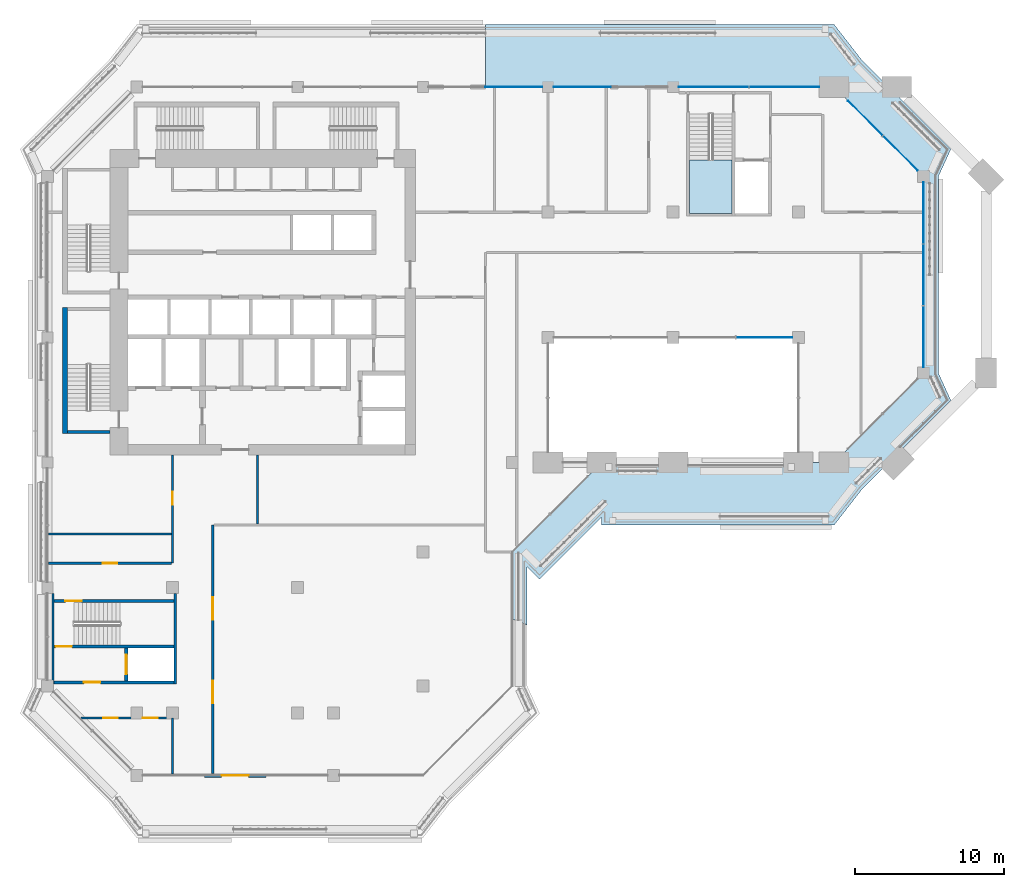
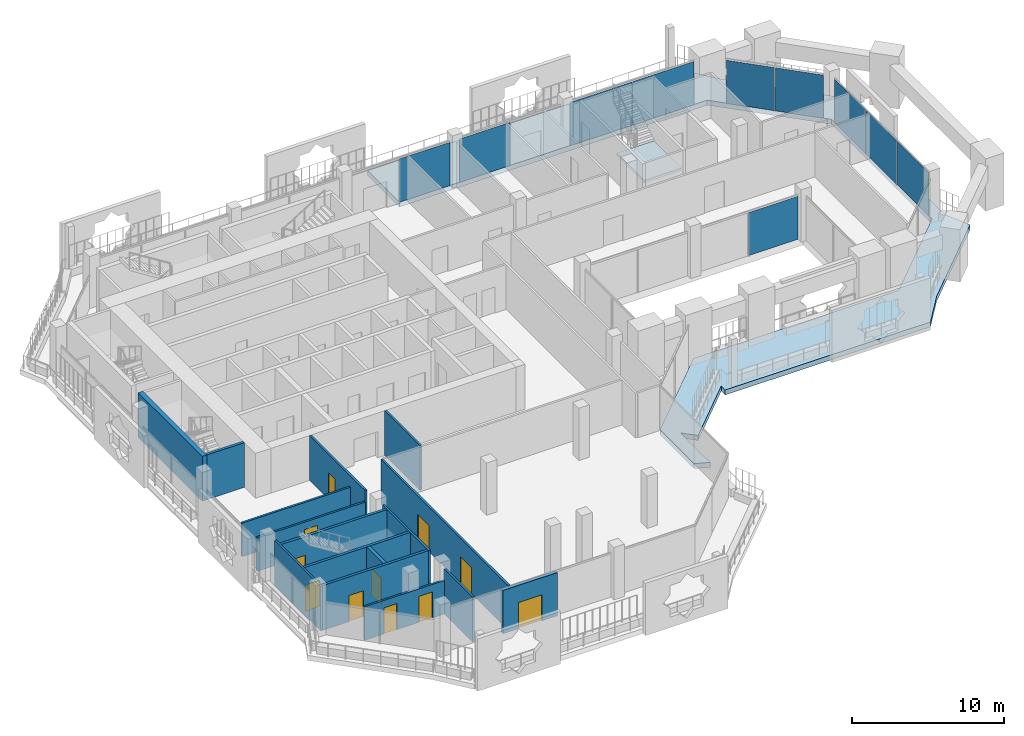
# One storey, part 10 of 23: 16 walls, 11 doors, 10 plates, 2 slabs, 11 openings, 5 elements without a shape of their own.
"""IFC4 building model written with IfcOpenShell, lengths in metres."""

from ifc_helpers import new_model, si_unit, direction, frame, frame_2d, origin, origin_2d, place, context, subcontext, project, spatial, polyline, rectangle, outline, extrude, material, layer, layer_set, type_object, element, fill, aggregate, save


model = new_model("IFC4")

# Units and contexts
model_context = context("Model", 3, precision=1e-05, world=origin(), true_north=direction((0.0, 1.0)))
body_context = subcontext(model_context, "Body", "Model", "MODEL_VIEW")
ifc_project = project(units=[si_unit("LENGTHUNIT", "METRE"), si_unit("AREAUNIT", "SQUARE_METRE"), si_unit("VOLUMEUNIT", "CUBIC_METRE"), si_unit("PLANEANGLEUNIT", "RADIAN"), si_unit("MASSUNIT", "GRAM", prefix="KILO")], contexts=[model_context])

# Site, building, storey
site_placement = place(None, origin())
site = spatial("IfcSite", under=ifc_project, at=site_placement, CompositionType="ELEMENT")
building_placement = place(site_placement, origin())
building = spatial("IfcBuilding", under=site, at=building_placement, Name="Kawkab Arch Medical Tower", CompositionType="ELEMENT")
storey_placement = place(building_placement, frame((0.0, 0.0, 281.800048828125)))
storey = spatial("IfcBuildingStorey", under=building, at=storey_placement, Name="L65", CompositionType="ELEMENT", Elevation=281.800048828125)

# Curtain wall, plates
ifc_material_1 = material(Name="Bronze anodised aluminium curtain wall frame", Category="aluminium")
ifc_layer_1 = layer(ifc_material_1, 0.159912109375)
ifc_layer_set_1 = layer_set([ifc_layer_1], Name="Bronze anodised aluminium curtain wall frame")
curtain_wall_type_1 = type_object("IfcCurtainWallType", Name="CW1 ward curtain wall", PredefinedType="NOTDEFINED", material=ifc_layer_set_1)
placement = place(storey_placement, origin())
curtain_wall_1 = element("IfcCurtainWall", 1, at=placement, inside=storey, type_object=curtain_wall_type_1, Name="CW1 Ward curtain wall R08", PredefinedType="NOTDEFINED")
ifc_material_2 = material(Name="Tinted insulating glass, bronze low-e coating", Category="glass")
ifc_layer_2 = layer(ifc_material_2, 0.031982421875)
ifc_layer_set_2 = layer_set([ifc_layer_2], Name="Tinted insulating glass, bronze low-e coating")
plate_type_1 = type_object("IfcPlateType", Name="CW1 glazing unit 32", PredefinedType="CURTAIN_PANEL", material=ifc_layer_set_2)
plate_1_placement = place(storey_placement, frame((58.800048828125, -16.748291015625, 0.0), z_axis=(0.0, 0.0, 1.0), x_axis=(0.0, 1.0, 0.0)))
plate_1 = element("IfcPlate", 2, at=plate_1_placement, type_object=plate_type_1, Name="CW1 glazing unit 1.1", PredefinedType="CURTAIN_PANEL", context=body_context, shape_type="SweptSolid", body=[
    extrude(rectangle(XDim=4.103271484375, YDim=0.031982421875, at=origin_2d()), origin(), (0.0, 0.0, 1.0), 3.47998046875),
])
plate_2_placement = place(storey_placement, frame((58.800048828125, -12.60009765625, 0.0), z_axis=(0.0, 0.0, 1.0), x_axis=(0.0, 1.0, 0.0)))
plate_2 = element("IfcPlate", 3, at=plate_2_placement, type_object=plate_type_1, Name="CW1 glazing unit 1.2", PredefinedType="CURTAIN_PANEL", context=body_context, shape_type="SweptSolid", body=[
    extrude(rectangle(XDim=4.0732421875, YDim=0.031982421875, at=origin_2d()), origin(), (0.0, 0.0, 1.0), 3.47998046875),
])
plate_3_placement = place(storey_placement, frame((58.800048828125, -8.45166015625, 0.0), z_axis=(0.0, 0.0, 1.0), x_axis=(0.0, 1.0, 0.0)))
plate_3 = element("IfcPlate", 4, at=plate_3_placement, type_object=plate_type_1, Name="CW1 glazing unit 1.3", PredefinedType="CURTAIN_PANEL", context=body_context, shape_type="SweptSolid", body=[
    extrude(rectangle(XDim=4.103271484375, YDim=0.031982421875, at=origin_2d()), origin(), (0.0, 0.0, 1.0), 3.47998046875),
])
aggregate(curtain_wall_1, [plate_1, plate_2, plate_3])

curtain_wall_2 = element("IfcCurtainWall", 5, at=placement, inside=storey, type_object=curtain_wall_type_1, Name="CW1 Ward curtain wall R10", PredefinedType="NOTDEFINED")
plate_4_placement = place(storey_placement, frame((49.458740234375, 0.0, 0.0), z_axis=(0.0, 0.0, 1.0), x_axis=(-1.0, 0.0, 0.0)))
plate_4 = element("IfcPlate", 6, at=plate_4_placement, type_object=plate_type_1, Name="CW1 glazing unit 1.1", PredefinedType="CURTAIN_PANEL", context=body_context, shape_type="SweptSolid", body=[
    extrude(rectangle(XDim=4.6826171875, YDim=0.031982421875, at=origin_2d()), origin(), (0.0, 0.0, 1.0), 3.47998046875),
])
plate_5_placement = place(storey_placement, frame((44.71630859375, 0.0, 0.0), z_axis=(0.0, 0.0, 1.0), x_axis=(-1.0, 0.0, 0.0)))
plate_5 = element("IfcPlate", 7, at=plate_5_placement, type_object=plate_type_1, Name="CW1 glazing unit 1.2", PredefinedType="CURTAIN_PANEL", context=body_context, shape_type="SweptSolid", body=[
    extrude(rectangle(XDim=4.6826171875, YDim=0.031982421875, at=origin_2d()), origin(), (0.0, 0.0, 1.0), 3.47998046875),
])
plate_6_placement = place(storey_placement, frame((35.887451171875, 0.0, 0.0), z_axis=(0.0, 0.0, 1.0), x_axis=(-1.0, 0.0, 0.0)))
plate_6 = element("IfcPlate", 8, at=plate_6_placement, type_object=plate_type_1, Name="CW1 glazing unit 2.2", PredefinedType="CURTAIN_PANEL", context=body_context, shape_type="SweptSolid", body=[
    extrude(rectangle(XDim=3.824951171875, YDim=0.031982421875, at=origin_2d()), origin(), (0.0, 0.0, 1.0), 3.47998046875),
])
plate_7_placement = place(storey_placement, frame((31.3125, 0.0, 0.0), z_axis=(0.0, 0.0, 1.0), x_axis=(-1.0, 0.0, 0.0)))
plate_7 = element("IfcPlate", 9, at=plate_7_placement, type_object=plate_type_1, Name="CW1 glazing unit 3.1", PredefinedType="CURTAIN_PANEL", context=body_context, shape_type="SweptSolid", body=[
    extrude(rectangle(XDim=3.824951171875, YDim=0.031982421875, at=origin_2d()), origin(), (0.0, 0.0, 1.0), 3.47998046875),
])
aggregate(curtain_wall_2, [plate_4, plate_5, plate_6, plate_7])

ifc_material_3 = material(Name="Bronze anodised aluminium curtain wall frame", Category="aluminium")
ifc_layer_3 = layer(ifc_material_3, 0.159912109375)
ifc_layer_set_3 = layer_set([ifc_layer_3], Name="Bronze anodised aluminium curtain wall frame")
curtain_wall_type_2 = type_object("IfcCurtainWallType", Name="CW2 chamfer curtain wall", PredefinedType="NOTDEFINED", material=ifc_layer_set_3)
curtain_wall_3 = element("IfcCurtainWall", 10, at=placement, inside=storey, type_object=curtain_wall_type_2, Name="CW2 Chamfer curtain wall R09", PredefinedType="NOTDEFINED")
ifc_material_4 = material(Name="Tinted insulating glass, bronze low-e coating", Category="glass")
ifc_layer_4 = layer(ifc_material_4, 0.031982421875)
ifc_layer_set_4 = layer_set([ifc_layer_4], Name="Tinted insulating glass, bronze low-e coating")
plate_type_2 = type_object("IfcPlateType", Name="CW2 glazing unit 32", PredefinedType="CURTAIN_PANEL", material=ifc_layer_set_4)
plate_8_placement = place(storey_placement, frame((57.2431640625, -4.443115234375, 0.0), z_axis=(0.0, 0.0, 1.0), x_axis=(-0.707106781187, 0.707106781187, 0.0)))
plate_8 = element("IfcPlate", 11, at=plate_8_placement, type_object=plate_type_2, Name="CW2 glazing unit 1.1", PredefinedType="CURTAIN_PANEL", context=body_context, shape_type="SweptSolid", body=[
    extrude(rectangle(XDim=3.27197265625, YDim=0.031982421875, at=origin_2d()), origin(), (0.0, 0.0, 1.0), 3.4599609375),
])
plate_9_placement = place(storey_placement, frame((54.88720703125, -2.087158203125, 0.0), z_axis=(0.0, 0.0, 1.0), x_axis=(-0.707106781187, 0.707106781187, 0.0)))
plate_9 = element("IfcPlate", 12, at=plate_9_placement, type_object=plate_type_2, Name="CW2 glazing unit 1.2", PredefinedType="CURTAIN_PANEL", context=body_context, shape_type="SweptSolid", body=[
    extrude(rectangle(XDim=3.27197265625, YDim=0.031982421875, at=origin_2d()), origin(), (0.0, 0.0, 1.0), 3.4599609375),
])
aggregate(curtain_wall_3, [plate_8, plate_9])

# Curtain wall, plate
ifc_material_5 = material(Name="Bronze anodised aluminium curtain wall frame", Category="aluminium")
ifc_layer_5 = layer(ifc_material_5, 0.159912109375)
ifc_layer_set_5 = layer_set([ifc_layer_5], Name="Bronze anodised aluminium curtain wall frame")
curtain_wall_type_3 = type_object("IfcCurtainWallType", Name="CW3 sky garden curtain wall", PredefinedType="NOTDEFINED", material=ifc_layer_set_5)
curtain_wall_4 = element("IfcCurtainWall", 13, at=placement, inside=storey, type_object=curtain_wall_type_3, Name="CW3 Sky garden curtain wall R04", PredefinedType="NOTDEFINED")
ifc_material_6 = material(Name="Tinted laminated insulating glass, grey-green", Category="glass")
ifc_layer_6 = layer(ifc_material_6, 0.035888671875)
ifc_layer_set_6 = layer_set([ifc_layer_6], Name="Tinted laminated insulating glass, grey-green")
plate_type_3 = type_object("IfcPlateType", Name="CW3 glazing unit 36", PredefinedType="CURTAIN_PANEL", material=ifc_layer_set_6)
plate_10_placement = place(storey_placement, frame((48.117431640625, -16.800048828125, 0.0), z_axis=(0.0, 0.0, 1.0), x_axis=(1.0, 0.0, 0.0)))
plate_10 = element("IfcPlate", 14, at=plate_10_placement, type_object=plate_type_3, Name="CW3 glazing unit 2.2", PredefinedType="CURTAIN_PANEL", context=body_context, shape_type="SweptSolid", body=[
    extrude(rectangle(XDim=3.764892578125, YDim=0.035888671875, at=origin_2d()), origin(), (0.0, 0.0, 1.0), 3.4599609375),
])
aggregate(curtain_wall_4, [plate_10])

# Stair, slab
ifc_material_7 = material(Name="Concrete C40/50", Category="concrete")
stair_type = type_object("IfcStairType", Name="Exit stair 1350", PredefinedType="HALF_TURN_STAIR", material=ifc_material_7)
stair = element("IfcStair", 15, at=placement, inside=storey, type_object=stair_type, Name="L65 Exit stair ST5", PredefinedType="HALF_TURN_STAIR")
ifc_material_8 = material(Name="Concrete C40/50", Category="concrete")
ifc_layer_7 = layer(ifc_material_8, 0.199951171875)
ifc_layer_set_7 = layer_set([ifc_layer_7], Name="Concrete C40/50")
slab_type_1 = type_object("IfcSlabType", Name="Exit stair landing 200", PredefinedType="LANDING", material=ifc_layer_set_7)
slab_1_placement = place(storey_placement, frame((0.0, 0.0, 1.89990234375)))
slab_1 = element("IfcSlab", 16, at=slab_1_placement, type_object=slab_type_1, Name="ST5 landing 1", PredefinedType="LANDING", context=body_context, shape_type="SweptSolid", body=[
    extrude(outline(polyline([(43.10009765625, -4.8798828125), (43.10009765625, -8.5), (45.949951171875, -8.5), (45.949951171875, -4.8798828125), (43.10009765625, -4.8798828125)])), origin(), (0.0, 0.0, 1.0), 0.199951171875),
])
aggregate(stair, [slab_1])

# Slab
ifc_material_9 = material(Name="Concrete C40/50", Category="concrete")
ifc_layer_8 = layer(ifc_material_9, 0.39990234375)
ifc_layer_set_8 = layer_set([ifc_layer_8], Name="Concrete C40/50")
slab_type_2 = type_object("IfcSlabType", Name="Loggia slab 400", PredefinedType="FLOOR", material=ifc_layer_set_8)
slab_2_placement = place(storey_placement, frame((0.0, 0.0, -0.400146484375)))
element("IfcSlab", 17, at=slab_2_placement, inside=storey, type_object=slab_type_2, Name="Loggia slab L65.4", PredefinedType="FLOOR", context=body_context, shape_type="SweptSolid", body=[
    extrude(outline(polyline([(29.40087890625, 0.0009765625), (29.40087890625, 0.001953125), (29.39990234375, 0.001953125), (29.39990234375, 4.198974609375), (29.40087890625, 4.198974609375), (29.40087890625, 4.199951171875), (52.799072265625, 4.199951171875), (52.799072265625, 4.198974609375), (52.801025390625, 4.198974609375), (54.637939453125, 1.837890625), (60.637939453125, -4.1630859375), (59.800048828125, -6.0), (59.800048828125, -19.199951171875), (60.637939453125, -21.037109375), (54.637939453125, -27.0380859375), (52.801025390625, -29.39892578125), (52.799072265625, -29.39892578125), (52.799072265625, -29.39990234375), (37.200927734375, -29.39990234375), (37.200927734375, -29.39892578125), (37.199951171875, -29.39892578125), (37.199951171875, -28.8759765625), (33.0380859375, -33.035888671875), (32.199951171875, -32.198974609375), (32.199951171875, -36.097900390625), (32.198974609375, -36.097900390625), (32.198974609375, -36.09912109375), (31.200927734375, -35.699951171875), (31.200927734375, -35.698974609375), (31.199951171875, -35.698974609375), (31.199951171875, -31.200927734375), (37.200927734375, -25.199951171875), (52.800048828125, -25.199951171875), (58.800048828125, -19.199951171875), (58.800048828125, -6.0), (52.800048828125, 0.0009765625), (29.40087890625, 0.0009765625)])), origin(), (0.0, 0.0, 1.0), 0.400146484375),
])

# Wall, opening, door
ifc_material_10 = material(Name="Concrete C60/75", Category="concrete")
ifc_layer_9 = layer(ifc_material_10, 0.25)
ifc_layer_set_9 = layer_set([ifc_layer_9], Name="Concrete C60/75")
wall_type_1 = type_object("IfcWallType", Name="Core shear wall 250 C60/75", PredefinedType="SHEAR", material=ifc_layer_set_9)
wall_1_placement = place(storey_placement, frame((5.300048828125, -39.85009765625, 0.0), z_axis=(0.0, 0.0, 1.0), x_axis=(0.0, 1.0, 0.0)))
wall_1 = element("IfcWall", 18, at=wall_1_placement, inside=storey, type_object=wall_type_1, Name="L65 core shear wall", PredefinedType="SHEAR", context=body_context, shape_type="SweptSolid", body=[
    extrude(rectangle(XDim=2.2001953125, YDim=0.25, at=frame_2d((1.10009765625, 0.0))), origin(), (0.0, 0.0, 1.0), 3.599853515625),
])
opening_1_placement = place(wall_1_placement, frame((0.449951171875, 0.0, 0.0)))
opening_1 = element("IfcOpeningElement", 19, at=opening_1_placement, cuts=wall_1, Name="Opening LD2", PredefinedType="OPENING", context=body_context, shape_type="SweptSolid", body=[
    extrude(rectangle(XDim=1.300048828125, YDim=2.10009765625, at=frame_2d((0.64990234375, 1.050048828125))), frame((0.0, 0.135009765625, 0.0), z_axis=(0.0, -1.0, 0.0), x_axis=(1.0, 0.0, 0.0)), (0.0, 0.0, 1.0), 0.27001953125),
])
ifc_material_11 = material(Name="Stainless steel lift door leaf", Category="steel")
door_type_1 = type_object("IfcDoorType", Name="Lift landing door 1300", OperationType="DOUBLE_DOOR_SLIDING", PredefinedType="DOOR", material=ifc_material_11)
door_1_placement = place(opening_1_placement, origin())
door_1 = element("IfcDoor", 20, at=door_1_placement, inside=storey, type_object=door_type_1, Name="L65 Lift landing door SV2", OperationType="DOUBLE_DOOR_SLIDING", OverallHeight=2.10009765625, OverallWidth=1.300048828125, PredefinedType="DOOR", context=body_context, shape_type="SweptSolid", body=[
    extrude(rectangle(XDim=1.300048828125, YDim=2.10009765625, at=frame_2d((0.64990234375, 1.050048828125))), frame((0.0, 0.02490234375, 0.0), z_axis=(0.0, -1.0, 0.0), x_axis=(1.0, 0.0, 0.0)), (0.0, 0.0, 1.0), 0.050048828125),
])
fill(opening_1, door_1)

ifc_material_12 = material(Name="Bronze clad insulated wall panel")
ifc_layer_10 = layer(ifc_material_12, 0.25)
ifc_layer_set_10 = layer_set([ifc_layer_10], Name="Bronze clad insulated wall panel")
wall_type_2 = type_object("IfcWallType", Name="External wall bay 250", PredefinedType="SOLIDWALL", material=ifc_layer_set_10)
wall_2_placement = place(storey_placement, frame((10.533447265625, -46.199951171875, 0.0), z_axis=(0.0, 0.0, 1.0), x_axis=(1.0, 0.0, 0.0)))
wall_2 = element("IfcWall", 21, at=wall_2_placement, inside=storey, type_object=wall_type_2, Name="External wall bay L65.R14.1.2", PredefinedType="SOLIDWALL", context=body_context, shape_type="SweptSolid", body=[
    extrude(rectangle(XDim=4.13330078125, YDim=0.25, at=frame_2d((2.066650390625, 0.0))), origin(), (0.0, 0.0, 1.0), 3.47998046875),
])
opening_2_placement = place(wall_2_placement, frame((1.166748046875, 0.0, 0.0)))
opening_2 = element("IfcOpeningElement", 22, at=opening_2_placement, cuts=wall_2, Name="Opening B65-701", PredefinedType="OPENING", context=body_context, shape_type="SweptSolid", body=[
    extrude(rectangle(XDim=1.800048828125, YDim=2.10009765625, at=frame_2d((0.89990234375, 1.050048828125))), frame((0.0, 0.135009765625, 0.0), z_axis=(0.0, -1.0, 0.0), x_axis=(1.0, 0.0, 0.0)), (0.0, 0.0, 1.0), 0.27001953125),
])
ifc_material_13 = material(Name="Bronze anodised aluminium door with tinted glass", Category="aluminium")
door_type_2 = type_object("IfcDoorType", Name="Double external door 1800 x 2100", OperationType="DOUBLE_DOOR_SINGLE_SWING", PredefinedType="DOOR", material=ifc_material_13)
door_2_placement = place(opening_2_placement, origin())
door_2 = element("IfcDoor", 23, at=door_2_placement, inside=storey, type_object=door_type_2, Name="External door L65.R14.1.2", OperationType="DOUBLE_DOOR_SINGLE_SWING", OverallHeight=2.10009765625, OverallWidth=1.800048828125, PredefinedType="DOOR", context=body_context, shape_type="SweptSolid", body=[
    extrude(rectangle(XDim=1.800048828125, YDim=2.10009765625, at=frame_2d((0.89990234375, 1.050048828125))), frame((0.0, 0.02490234375, 0.0), z_axis=(0.0, -1.0, 0.0), x_axis=(1.0, 0.0, 0.0)), (0.0, 0.0, 1.0), 0.050048828125),
])
fill(opening_2, door_2)

# Wall, openings, doors
ifc_material_14 = material(Name="Gypsum board partition on steel studs, mineral wool", Category="steel")
ifc_layer_11 = layer(ifc_material_14, 0.14990234375)
ifc_layer_set_11 = layer_set([ifc_layer_11], Name="Gypsum board partition on steel studs, mineral wool")
wall_type_3 = type_object("IfcWallType", Name="Partition 150", PredefinedType="PARTITIONING", material=ifc_layer_set_11)
wall_3_placement = place(storey_placement, frame((2.262939453125, -42.35009765625, 0.0), z_axis=(0.0, 0.0, 1.0), x_axis=(1.0, 0.0, 0.0)))
wall_3 = element("IfcWall", 24, at=wall_3_placement, inside=storey, type_object=wall_type_3, Name="Partition 150 w001", PredefinedType="PARTITIONING", context=body_context, shape_type="SweptSolid", body=[
    extrude(rectangle(XDim=6.06201171875, YDim=0.14990234375, at=frame_2d((3.031005859375, 0.0))), origin(), (0.0, 0.0, 1.0), 2.699951171875),
])
opening_3_placement = place(wall_3_placement, frame((4.154052734375, 0.0, 0.0)))
opening_3 = element("IfcOpeningElement", 25, at=opening_3_placement, cuts=wall_3, Name="Opening B65-016", PredefinedType="OPENING", context=body_context, shape_type="SweptSolid", body=[
    extrude(rectangle(XDim=1.0, YDim=2.10009765625, at=frame_2d((0.5, 1.050048828125))), frame((0.0, 0.0849609375, 0.0), z_axis=(0.0, -1.0, 0.0), x_axis=(1.0, 0.0, 0.0)), (0.0, 0.0, 1.0), 0.169921875),
])
opening_4_placement = place(wall_3_placement, frame((1.469970703125, 0.0, 0.0)))
opening_4 = element("IfcOpeningElement", 26, at=opening_4_placement, cuts=wall_3, Name="Opening B65-017", PredefinedType="OPENING", context=body_context, shape_type="SweptSolid", body=[
    extrude(rectangle(XDim=1.0, YDim=2.10009765625, at=frame_2d((0.5, 1.050048828125))), frame((0.0, 0.0849609375, 0.0), z_axis=(0.0, -1.0, 0.0), x_axis=(1.0, 0.0, 0.0)), (0.0, 0.0, 1.0), 0.169921875),
])
ifc_material_15 = material(Name="Hollow metal door leaf")
door_type_3 = type_object("IfcDoorType", Name="Single door 1000x2100 FD30S", OperationType="NOTDEFINED", PredefinedType="DOOR", material=ifc_material_15)
door_3_placement = place(opening_3_placement, origin())
door_3 = element("IfcDoor", 27, at=door_3_placement, inside=storey, type_object=door_type_3, Name="Door B65-016", OperationType="SINGLE_SWING_LEFT", OverallHeight=2.10009765625, OverallWidth=1.0, PredefinedType="DOOR", context=body_context, shape_type="SweptSolid", body=[
    extrude(rectangle(XDim=1.0, YDim=2.10009765625, at=frame_2d((0.5, 1.050048828125))), frame((0.0, 0.02490234375, 0.0), z_axis=(0.0, -1.0, 0.0), x_axis=(1.0, 0.0, 0.0)), (0.0, 0.0, 1.0), 0.050048828125),
])
fill(opening_3, door_3)
door_4_placement = place(opening_4_placement, origin())
door_4 = element("IfcDoor", 28, at=door_4_placement, inside=storey, type_object=door_type_3, Name="Door B65-017", OperationType="SINGLE_SWING_RIGHT", OverallHeight=2.10009765625, OverallWidth=1.0, PredefinedType="DOOR", context=body_context, shape_type="SweptSolid", body=[
    extrude(rectangle(XDim=1.0, YDim=2.10009765625, at=frame_2d((0.5, 1.050048828125))), frame((0.0, 0.02490234375, 0.0), z_axis=(0.0, -1.0, 0.0), x_axis=(1.0, 0.0, 0.0)), (0.0, 0.0, 1.0), 0.050048828125),
])
fill(opening_4, door_4)

# Wall, opening, door
wall_4_placement = place(storey_placement, frame((0.080078125, -31.95703125, 0.0), z_axis=(0.0, 0.0, 1.0), x_axis=(1.0, 0.0, 0.0)))
wall_4 = element("IfcWall", 29, at=wall_4_placement, inside=storey, type_object=wall_type_3, Name="Partition 150 w002", PredefinedType="PARTITIONING", context=body_context, shape_type="SweptSolid", body=[
    extrude(rectangle(XDim=8.244873046875, YDim=0.14990234375, at=frame_2d((4.12255859375, 0.0))), origin(), (0.0, 0.0, 1.0), 2.699951171875),
])
opening_5_placement = place(wall_4_placement, frame((3.6201171875, 0.0, 0.0)))
opening_5 = element("IfcOpeningElement", 30, at=opening_5_placement, cuts=wall_4, Name="Opening B65-015", PredefinedType="OPENING", context=body_context, shape_type="SweptSolid", body=[
    extrude(rectangle(XDim=1.0, YDim=2.10009765625, at=frame_2d((0.5, 1.050048828125))), frame((0.0, 0.0849609375, 0.0), z_axis=(0.0, -1.0, 0.0), x_axis=(1.0, 0.0, 0.0)), (0.0, 0.0, 1.0), 0.169921875),
])
door_5_placement = place(opening_5_placement, origin())
door_5 = element("IfcDoor", 31, at=door_5_placement, inside=storey, type_object=door_type_3, Name="Door B65-015", OperationType="SINGLE_SWING_LEFT", OverallHeight=2.10009765625, OverallWidth=1.0, PredefinedType="DOOR", context=body_context, shape_type="SweptSolid", body=[
    extrude(rectangle(XDim=1.0, YDim=2.10009765625, at=frame_2d((0.5, 1.050048828125))), frame((0.0, 0.02490234375, 0.0), z_axis=(0.0, -1.0, 0.0), x_axis=(1.0, 0.0, 0.0)), (0.0, 0.0, 1.0), 0.050048828125),
])
fill(opening_5, door_5)

# Walls
wall_5_placement = place(storey_placement, frame((0.080078125, -30.0, 0.0), z_axis=(0.0, 0.0, 1.0), x_axis=(1.0, 0.0, 0.0)))
element("IfcWall", 32, at=wall_5_placement, inside=storey, type_object=wall_type_3, Name="Partition 150 w004", PredefinedType="PARTITIONING", context=body_context, shape_type="SweptSolid", body=[
    extrude(rectangle(XDim=8.244873046875, YDim=0.14990234375, at=frame_2d((4.12255859375, 0.0))), origin(), (0.0, 0.0, 1.0), 2.699951171875),
])
wall_6_placement = place(storey_placement, frame((8.39990234375, -46.1201171875, 0.0), z_axis=(0.0, 0.0, 1.0), x_axis=(0.0, 1.0, 0.0)))
element("IfcWall", 33, at=wall_6_placement, inside=storey, type_object=wall_type_3, Name="Partition 150 w013", PredefinedType="PARTITIONING", context=body_context, shape_type="SweptSolid", body=[
    extrude(rectangle(XDim=3.77001953125, YDim=0.14990234375, at=frame_2d((1.885009765625, 0.0))), origin(), (0.0, 0.0, 1.0), 3.599853515625),
])

# Wall, opening, door
wall_7_placement = place(storey_placement, frame((8.39990234375, -31.95703125, 0.0), z_axis=(0.0, 0.0, 1.0), x_axis=(0.0, 1.0, 0.0)))
wall_7 = element("IfcWall", 34, at=wall_7_placement, inside=storey, type_object=wall_type_3, Name="Partition 150 w014", PredefinedType="PARTITIONING", context=body_context, shape_type="SweptSolid", body=[
    extrude(rectangle(XDim=7.257080078125, YDim=0.14990234375, at=frame_2d((3.62841796875, 0.0))), origin(), (0.0, 0.0, 1.0), 3.599853515625),
])
opening_6_placement = place(wall_7_placement, frame((3.906982421875, 0.0, 0.0)))
opening_6 = element("IfcOpeningElement", 35, at=opening_6_placement, cuts=wall_7, Name="Opening B65-005", PredefinedType="OPENING", context=body_context, shape_type="SweptSolid", body=[
    extrude(rectangle(XDim=0.89990234375, YDim=2.10009765625, at=frame_2d((0.449951171875, 1.050048828125))), frame((0.0, 0.0849609375, 0.0), z_axis=(0.0, -1.0, 0.0), x_axis=(1.0, 0.0, 0.0)), (0.0, 0.0, 1.0), 0.169921875),
])
ifc_material_16 = material(Name="Timber door leaf", Category="wood")
door_type_4 = type_object("IfcDoorType", Name="Single door 900x2100", OperationType="NOTDEFINED", PredefinedType="DOOR", material=ifc_material_16)
door_6_placement = place(opening_6_placement, origin())
door_6 = element("IfcDoor", 36, at=door_6_placement, inside=storey, type_object=door_type_4, Name="Door B65-005", OperationType="SINGLE_SWING_RIGHT", OverallHeight=2.10009765625, OverallWidth=0.89990234375, PredefinedType="DOOR", context=body_context, shape_type="SweptSolid", body=[
    extrude(rectangle(XDim=0.89990234375, YDim=2.10009765625, at=frame_2d((0.449951171875, 1.050048828125))), frame((0.0, 0.02490234375, 0.0), z_axis=(0.0, -1.0, 0.0), x_axis=(1.0, 0.0, 0.0)), (0.0, 0.0, 1.0), 0.050048828125),
])
fill(opening_6, door_6)

# Wall, openings, doors
wall_8_placement = place(storey_placement, frame((11.10009765625, -46.1201171875, 0.0), z_axis=(0.0, 0.0, 1.0), x_axis=(0.0, 1.0, 0.0)))
wall_8 = element("IfcWall", 37, at=wall_8_placement, inside=storey, type_object=wall_type_3, Name="Partition 150 w015", PredefinedType="PARTITIONING", context=body_context, shape_type="SweptSolid", body=[
    extrude(rectangle(XDim=16.72021484375, YDim=0.14990234375, at=frame_2d((8.360107421875, 0.0))), origin(), (0.0, 0.0, 1.0), 3.599853515625),
])
opening_7_placement = place(wall_8_placement, frame((10.3701171875, 0.0, 0.0)))
opening_7 = element("IfcOpeningElement", 38, at=opening_7_placement, cuts=wall_8, Name="Opening B65-001", PredefinedType="OPENING", context=body_context, shape_type="SweptSolid", body=[
    extrude(rectangle(XDim=1.5, YDim=2.10009765625, at=frame_2d((0.75, 1.050048828125))), frame((0.0, 0.0849609375, 0.0), z_axis=(0.0, -1.0, 0.0), x_axis=(1.0, 0.0, 0.0)), (0.0, 0.0, 1.0), 0.169921875),
])
opening_8_placement = place(wall_8_placement, frame((4.77001953125, 0.0, 0.0)))
opening_8 = element("IfcOpeningElement", 39, at=opening_8_placement, cuts=wall_8, Name="Opening B65-002", PredefinedType="OPENING", context=body_context, shape_type="SweptSolid", body=[
    extrude(rectangle(XDim=1.5, YDim=2.10009765625, at=frame_2d((0.75, 1.050048828125))), frame((0.0, 0.0849609375, 0.0), z_axis=(0.0, -1.0, 0.0), x_axis=(1.0, 0.0, 0.0)), (0.0, 0.0, 1.0), 0.169921875),
])
ifc_material_17 = material(Name="Hollow metal door leaf")
door_type_5 = type_object("IfcDoorType", Name="Double door 1500x2100 FD30S", OperationType="NOTDEFINED", PredefinedType="DOOR", material=ifc_material_17)
door_7_placement = place(opening_7_placement, origin())
door_7 = element("IfcDoor", 40, at=door_7_placement, inside=storey, type_object=door_type_5, Name="Door B65-001", OperationType="DOUBLE_DOOR_SINGLE_SWING", OverallHeight=2.10009765625, OverallWidth=1.5, PredefinedType="DOOR", context=body_context, shape_type="SweptSolid", body=[
    extrude(rectangle(XDim=1.5, YDim=2.10009765625, at=frame_2d((0.75, 1.050048828125))), frame((0.0, 0.02490234375, 0.0), z_axis=(0.0, -1.0, 0.0), x_axis=(1.0, 0.0, 0.0)), (0.0, 0.0, 1.0), 0.050048828125),
])
fill(opening_7, door_7)
door_8_placement = place(opening_8_placement, origin())
door_8 = element("IfcDoor", 41, at=door_8_placement, inside=storey, type_object=door_type_5, Name="Door B65-002", OperationType="DOUBLE_DOOR_SINGLE_SWING", OverallHeight=2.10009765625, OverallWidth=1.5, PredefinedType="DOOR", context=body_context, shape_type="SweptSolid", body=[
    extrude(rectangle(XDim=1.5, YDim=2.10009765625, at=frame_2d((0.75, 1.050048828125))), frame((0.0, 0.02490234375, 0.0), z_axis=(0.0, -1.0, 0.0), x_axis=(1.0, 0.0, 0.0)), (0.0, 0.0, 1.0), 0.050048828125),
])
fill(opening_8, door_8)

# Walls
wall_9_placement = place(storey_placement, frame((14.10009765625, -29.324951171875, 0.0), z_axis=(0.0, 0.0, 1.0), x_axis=(0.0, 1.0, 0.0)))
element("IfcWall", 42, at=wall_9_placement, inside=storey, type_object=wall_type_3, Name="Partition 150 w016", PredefinedType="PARTITIONING", context=body_context, shape_type="SweptSolid", body=[
    extrude(rectangle(XDim=4.625, YDim=0.14990234375, at=frame_2d((2.3125, 0.0))), origin(), (0.0, 0.0, 1.0), 3.599853515625),
])
ifc_material_18 = material(Name="Concrete C50/60", Category="concrete")
ifc_layer_12 = layer(ifc_material_18, 0.14990234375)
ifc_layer_set_12 = layer_set([ifc_layer_12], Name="Concrete C50/60")
wall_type_4 = type_object("IfcWallType", Name="Stair enclosure wall 150 C50/60", PredefinedType="SHEAR", material=ifc_layer_set_12)
wall_10_placement = place(storey_placement, frame((0.375, -40.050048828125, 0.0), z_axis=(0.0, 0.0, 1.0), x_axis=(0.0, 1.0, 0.0)))
element("IfcWall", 43, at=wall_10_placement, inside=storey, type_object=wall_type_4, Name="L65 stair enclosure wall", PredefinedType="SHEAR", context=body_context, shape_type="SweptSolid", body=[
    extrude(rectangle(XDim=6.074951171875, YDim=0.14990234375, at=frame_2d((3.03759765625, 0.0))), origin(), (0.0, 0.0, 1.0), 3.599853515625),
])
wall_11_placement = place(storey_placement, frame((8.574951171875, -40.050048828125, 0.0), z_axis=(0.0, 0.0, 1.0), x_axis=(0.0, 1.0, 0.0)))
element("IfcWall", 44, at=wall_11_placement, inside=storey, type_object=wall_type_4, Name="L65 stair enclosure wall", PredefinedType="SHEAR", context=body_context, shape_type="SweptSolid", body=[
    extrude(rectangle(XDim=6.050048828125, YDim=0.14990234375, at=frame_2d((3.02490234375, 0.0))), origin(), (0.0, 0.0, 1.0), 3.599853515625),
])
ifc_material_19 = material(Name="Concrete C50/60", Category="concrete")
ifc_layer_13 = layer(ifc_material_19, 0.199951171875)
ifc_layer_set_13 = layer_set([ifc_layer_13], Name="Concrete C50/60")
wall_type_5 = type_object("IfcWallType", Name="Stair enclosure wall 200 C50/60", PredefinedType="SHEAR", material=ifc_layer_set_13)
wall_12_placement = place(storey_placement, frame((1.35009765625, -23.14990234375, 0.0), z_axis=(0.0, 0.0, 1.0), x_axis=(1.0, 0.0, 0.0)))
element("IfcWall", 45, at=wall_12_placement, inside=storey, type_object=wall_type_5, Name="L65 stair enclosure wall", PredefinedType="SHEAR", context=body_context, shape_type="SweptSolid", body=[
    extrude(rectangle(XDim=2.849853515625, YDim=0.199951171875, at=frame_2d((1.4248046875, 0.0))), origin(), (0.0, 0.0, 1.0), 3.599853515625),
])

# Wall, opening, door
wall_13_placement = place(storey_placement, frame((0.449951171875, -34.5, 0.0), z_axis=(0.0, 0.0, 1.0), x_axis=(1.0, 0.0, 0.0)))
wall_13 = element("IfcWall", 46, at=wall_13_placement, inside=storey, type_object=wall_type_5, Name="L65 stair enclosure wall", PredefinedType="SHEAR", context=body_context, shape_type="SweptSolid", body=[
    extrude(rectangle(XDim=8.050048828125, YDim=0.199951171875, at=frame_2d((4.02490234375, 0.0))), origin(), (0.0, 0.0, 1.0), 3.599853515625),
])
opening_9_placement = place(wall_13_placement, frame((0.75, 0.0, 0.0)))
opening_9 = element("IfcOpeningElement", 47, at=opening_9_placement, cuts=wall_13, Name="Opening SD", PredefinedType="OPENING", context=body_context, shape_type="SweptSolid", body=[
    extrude(rectangle(XDim=1.10009765625, YDim=2.10009765625, at=frame_2d((0.550048828125, 1.050048828125))), frame((0.0, 0.10986328125, 0.0), z_axis=(0.0, -1.0, 0.0), x_axis=(1.0, 0.0, 0.0)), (0.0, 0.0, 1.0), 0.219970703125),
])
ifc_material_20 = material(Name="Hollow metal fire door leaf")
door_type_6 = type_object("IfcDoorType", Name="Exit stair door 1100", OperationType="SINGLE_SWING_LEFT", PredefinedType="DOOR", material=ifc_material_20)
door_9_placement = place(opening_9_placement, origin())
door_9 = element("IfcDoor", 48, at=door_9_placement, inside=storey, type_object=door_type_6, Name="L65 Exit stair ST6 door", OperationType="SINGLE_SWING_LEFT", OverallHeight=2.10009765625, OverallWidth=1.10009765625, PredefinedType="DOOR", context=body_context, shape_type="SweptSolid", body=[
    extrude(rectangle(XDim=1.10009765625, YDim=2.10009765625, at=frame_2d((0.550048828125, 1.050048828125))), frame((0.0, 0.02490234375, 0.0), z_axis=(0.0, -1.0, 0.0), x_axis=(1.0, 0.0, 0.0)), (0.0, 0.0, 1.0), 0.050048828125),
])
fill(opening_9, door_9)

wall_14_placement = place(storey_placement, frame((0.449951171875, -37.550048828125, 0.0), z_axis=(0.0, 0.0, 1.0), x_axis=(1.0, 0.0, 0.0)))
wall_14 = element("IfcWall", 49, at=wall_14_placement, inside=storey, type_object=wall_type_5, Name="L65 stair enclosure wall", PredefinedType="SHEAR", context=body_context, shape_type="SweptSolid", body=[
    extrude(rectangle(XDim=8.050048828125, YDim=0.199951171875, at=frame_2d((4.02490234375, 0.0))), origin(), (0.0, 0.0, 1.0), 3.599853515625),
])
opening_10_placement = place(wall_14_placement, frame((0.10009765625, 0.0, 0.0)))
opening_10 = element("IfcOpeningElement", 50, at=opening_10_placement, cuts=wall_14, Name="Opening SD", PredefinedType="OPENING", context=body_context, shape_type="SweptSolid", body=[
    extrude(rectangle(XDim=1.10009765625, YDim=2.10009765625, at=frame_2d((0.550048828125, 1.050048828125))), frame((0.0, 0.10986328125, 0.0), z_axis=(0.0, -1.0, 0.0), x_axis=(1.0, 0.0, 0.0)), (0.0, 0.0, 1.0), 0.219970703125),
])
door_10_placement = place(opening_10_placement, frame((1.10009765625, 0.0, 0.0), z_axis=(0.0, 0.0, 1.0), x_axis=(-1.0, 0.0, 0.0)))
door_10 = element("IfcDoor", 51, at=door_10_placement, inside=storey, type_object=door_type_6, Name="L65 Exit stair ST6 lobby door", OperationType="SINGLE_SWING_LEFT", OverallHeight=2.10009765625, OverallWidth=1.10009765625, PredefinedType="DOOR", context=body_context, shape_type="SweptSolid", body=[
    extrude(rectangle(XDim=1.10009765625, YDim=2.10009765625, at=frame_2d((0.550048828125, 1.050048828125))), frame((0.0, 0.02490234375, 0.0), z_axis=(0.0, -1.0, 0.0), x_axis=(1.0, 0.0, 0.0)), (0.0, 0.0, 1.0), 0.050048828125),
])
fill(opening_10, door_10)

wall_15_placement = place(storey_placement, frame((0.449951171875, -39.949951171875, 0.0), z_axis=(0.0, 0.0, 1.0), x_axis=(1.0, 0.0, 0.0)))
wall_15 = element("IfcWall", 52, at=wall_15_placement, inside=storey, type_object=wall_type_5, Name="L65 stair enclosure wall", PredefinedType="SHEAR", context=body_context, shape_type="SweptSolid", body=[
    extrude(rectangle(XDim=8.050048828125, YDim=0.199951171875, at=frame_2d((4.02490234375, 0.0))), origin(), (0.0, 0.0, 1.0), 3.599853515625),
])
opening_11_placement = place(wall_15_placement, frame((2.0, 0.0, 0.0)))
opening_11 = element("IfcOpeningElement", 53, at=opening_11_placement, cuts=wall_15, Name="Opening FD", PredefinedType="OPENING", context=body_context, shape_type="SweptSolid", body=[
    extrude(rectangle(XDim=1.10009765625, YDim=2.10009765625, at=frame_2d((0.550048828125, 1.050048828125))), frame((0.0, 0.10986328125, 0.0), z_axis=(0.0, -1.0, 0.0), x_axis=(1.0, 0.0, 0.0)), (0.0, 0.0, 1.0), 0.219970703125),
])
ifc_material_21 = material(Name="Hollow metal fire door leaf")
door_type_7 = type_object("IfcDoorType", Name="Firefighting lobby door 1100", OperationType="SINGLE_SWING_LEFT", PredefinedType="DOOR", material=ifc_material_21)
door_11_placement = place(opening_11_placement, origin())
door_11 = element("IfcDoor", 54, at=door_11_placement, inside=storey, type_object=door_type_7, Name="L65 Service lift lobby door SV2", OperationType="SINGLE_SWING_LEFT", OverallHeight=2.10009765625, OverallWidth=1.10009765625, PredefinedType="DOOR", context=body_context, shape_type="SweptSolid", body=[
    extrude(rectangle(XDim=1.10009765625, YDim=2.10009765625, at=frame_2d((0.550048828125, 1.050048828125))), frame((0.0, 0.02490234375, 0.0), z_axis=(0.0, -1.0, 0.0), x_axis=(1.0, 0.0, 0.0)), (0.0, 0.0, 1.0), 0.050048828125),
])
fill(opening_11, door_11)

# Wall
ifc_material_22 = material(Name="Concrete C50/60", Category="concrete")
ifc_layer_14 = layer(ifc_material_22, 0.35009765625)
ifc_layer_set_14 = layer_set([ifc_layer_14], Name="Concrete C50/60")
wall_type_6 = type_object("IfcWallType", Name="Stair enclosure wall 350 C50/60", PredefinedType="SHEAR", material=ifc_layer_set_14)
wall_16_placement = place(storey_placement, frame((1.175048828125, -23.25, 0.0), z_axis=(0.0, 0.0, 1.0), x_axis=(0.0, 1.0, 0.0)))
element("IfcWall", 55, at=wall_16_placement, inside=storey, type_object=wall_type_6, Name="L65 stair enclosure wall", PredefinedType="SHEAR", context=body_context, shape_type="SweptSolid", body=[
    extrude(rectangle(XDim=8.449951171875, YDim=0.35009765625, at=frame_2d((4.22509765625, 0.0))), origin(), (0.0, 0.0, 1.0), 3.599853515625),
])

save(model, "model.ifc")
